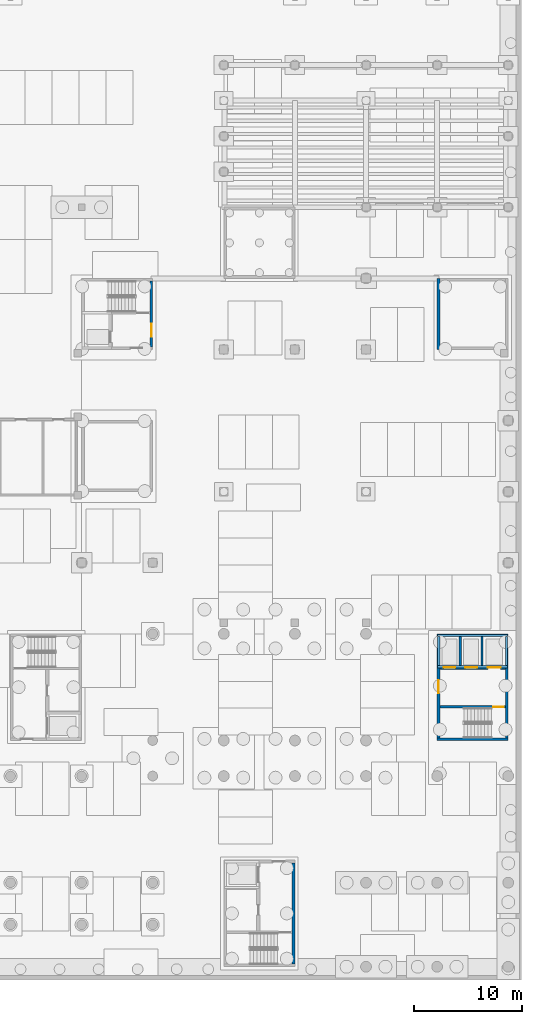
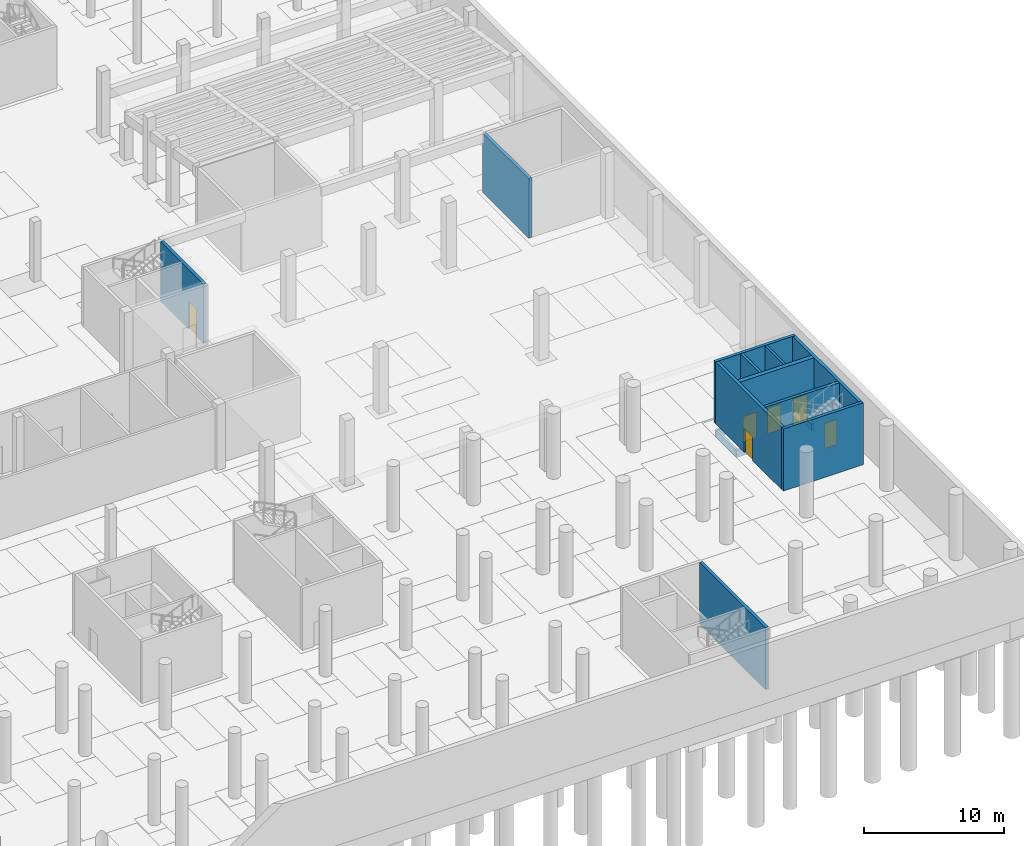
# One storey, part 14 of 38: 15 walls, 6 doors, 6 openings.
"""IFC4 building model written with IfcOpenShell, lengths in metres."""

from ifc_helpers import new_model, si_unit, direction, frame, frame_2d, origin, place, context, subcontext, project, spatial, rectangle, extrude, material, layer, layer_set, type_object, element, fill, save


model = new_model("IFC4")

# Units and contexts
model_context = context("Model", 3, precision=1e-05, world=origin(), true_north=direction((0.0, 1.0)))
body_context = subcontext(model_context, "Body", "Model", "MODEL_VIEW")
ifc_project = project(units=[si_unit("LENGTHUNIT", "METRE"), si_unit("AREAUNIT", "SQUARE_METRE"), si_unit("VOLUMEUNIT", "CUBIC_METRE"), si_unit("PLANEANGLEUNIT", "RADIAN"), si_unit("MASSUNIT", "GRAM", prefix="KILO")], contexts=[model_context])

# Site, building, storey
site_placement = place(None, origin())
site = spatial("IfcSite", under=ifc_project, at=site_placement, CompositionType="ELEMENT")
building_placement = place(site_placement, origin())
building = spatial("IfcBuilding", under=site, at=building_placement, Name="Lantern Court Research Institute", CompositionType="ELEMENT")
storey_placement = place(building_placement, frame((0.0, 0.0, -5.699951171875)))
storey = spatial("IfcBuildingStorey", under=building, at=storey_placement, Name="B1", CompositionType="ELEMENT", Elevation=-5.699951171875)

# Walls
ifc_material_1 = material(Name="Concrete C40/50", Category="concrete")
ifc_layer_1 = layer(ifc_material_1, 0.25)
ifc_layer_set_1 = layer_set([ifc_layer_1], Name="Concrete C40/50")
wall_type_1 = type_object("IfcWallType", Name="RC core wall 250", PredefinedType="SHEAR", material=ifc_layer_set_1)
wall_1_placement = place(storey_placement, frame((59.27490234375, 1.85009765625, 0.0), z_axis=(0.0, 0.0, 1.0), x_axis=(0.0, -1.0, 0.0)))
element("IfcWall", 1, at=wall_1_placement, inside=storey, type_object=wall_type_1, Name="East wall of core TC-W", PredefinedType="SHEAR", context=body_context, shape_type="SweptSolid", body=[
    extrude(rectangle(XDim=9.400146484375, YDim=0.25, at=frame_2d((4.7001953125, 0.0))), origin(), (0.0, 0.0, 1.0), 5.39990234375),
])
for number, where, z_axis, x_axis, name in (
    (2, (72.60009765625, 13.324951171875, 0.0), (0.0, 0.0, 1.0), (1.0, 0.0, 0.0), "South wall of core TC-E"),
    (3, (72.60009765625, 22.97509765625, 0.0), (0.0, 0.0, 1.0), (1.0, 0.0, 0.0), "North wall of core TC-E"),
):
    element("IfcWall", number, at=place(storey_placement, frame(where, z_axis=z_axis, x_axis=x_axis)), inside=storey, type_object=wall_type_1, Name=name, PredefinedType="SHEAR", context=body_context, shape_type="SweptSolid", body=[
        extrude(rectangle(XDim=6.599853515625, YDim=0.25, at=frame_2d((3.2998046875, 0.0))), origin(), (0.0, 0.0, 1.0), 5.39990234375),
    ])

# Wall, opening, door
wall_2_placement = place(storey_placement, frame((72.72509765625, 13.449951171875, 0.0), z_axis=(0.0, 0.0, 1.0), x_axis=(0.0, 1.0, 0.0)))
wall_2 = element("IfcWall", 4, at=wall_2_placement, inside=storey, type_object=wall_type_1, Name="West wall of core TC-E", PredefinedType="SHEAR", context=body_context, shape_type="SweptSolid", body=[
    extrude(rectangle(XDim=9.400146484375, YDim=0.25, at=frame_2d((4.7001953125, 0.0))), origin(), (0.0, 0.0, 1.0), 5.39990234375),
])
opening_1_placement = place(wall_2_placement, frame((4.125, 0.0, 0.0)))
opening_1 = element("IfcOpeningElement", 5, at=opening_1_placement, cuts=wall_2, Name="Opening D7140", PredefinedType="OPENING", context=body_context, shape_type="SweptSolid", body=[
    extrude(rectangle(XDim=1.199951171875, YDim=2.10009765625, at=frame_2d((0.60009765625, 1.050048828125))), frame((0.0, 0.135009765625, 0.0), z_axis=(0.0, -1.0, 0.0), x_axis=(1.0, 0.0, 0.0)), (0.0, 0.0, 1.0), 0.27001953125),
])
ifc_material_2 = material(Name="Steel fire door leaf with smoke seals", Category="steel")
door_type_1 = type_object("IfcDoorType", Name="Door 1200 x 2100 fire rated FD60S", OperationType="NOTDEFINED", PredefinedType="DOOR", material=ifc_material_2)
door_1_placement = place(opening_1_placement, origin())
door_1 = element("IfcDoor", 6, at=door_1_placement, inside=storey, type_object=door_type_1, Name="Lobby door", OperationType="SINGLE_SWING_LEFT", OverallHeight=2.10009765625, OverallWidth=1.199951171875, PredefinedType="DOOR", context=body_context, shape_type="SweptSolid", body=[
    extrude(rectangle(XDim=1.199951171875, YDim=2.10009765625, at=frame_2d((0.60009765625, 1.050048828125))), frame((0.0, 0.02490234375, 0.0), z_axis=(0.0, -1.0, 0.0), x_axis=(1.0, 0.0, 0.0)), (0.0, 0.0, 1.0), 0.050048828125),
])
fill(opening_1, door_1)

# Wall
wall_3_placement = place(storey_placement, frame((79.074951171875, 13.449951171875, 0.0), z_axis=(0.0, 0.0, 1.0), x_axis=(0.0, 1.0, 0.0)))
element("IfcWall", 7, at=wall_3_placement, inside=storey, type_object=wall_type_1, Name="East wall of core TC-E", PredefinedType="SHEAR", context=body_context, shape_type="SweptSolid", body=[
    extrude(rectangle(XDim=9.400146484375, YDim=0.25, at=frame_2d((4.7001953125, 0.0))), origin(), (0.0, 0.0, 1.0), 5.39990234375),
])

# Wall, opening, door
wall_4_placement = place(storey_placement, frame((46.074951171875, 49.75, 0.0), z_axis=(0.0, 0.0, 1.0), x_axis=(0.0, 1.0, 0.0)))
wall_4 = element("IfcWall", 8, at=wall_4_placement, inside=storey, type_object=wall_type_1, Name="East wall of core HC-A", PredefinedType="SHEAR", context=body_context, shape_type="SweptSolid", body=[
    extrude(rectangle(XDim=6.10009765625, YDim=0.25, at=frame_2d((3.050048828125, 0.0))), origin(), (0.0, 0.0, 1.0), 5.199951171875),
])
opening_2_placement = place(wall_4_placement, frame((0.949951171875, 0.0, 0.0)))
opening_2 = element("IfcOpeningElement", 9, at=opening_2_placement, cuts=wall_4, Name="Opening D7301", PredefinedType="OPENING", context=body_context, shape_type="SweptSolid", body=[
    extrude(rectangle(XDim=1.199951171875, YDim=2.39990234375, at=frame_2d((0.60009765625, 1.199951171875))), frame((0.0, 0.135009765625, 0.0), z_axis=(0.0, -1.0, 0.0), x_axis=(1.0, 0.0, 0.0)), (0.0, 0.0, 1.0), 0.27001953125),
])
ifc_material_3 = material(Name="Steel fire door leaf with smoke seals", Category="steel")
door_type_2 = type_object("IfcDoorType", Name="Door 1200 x 2400 fire rated FD60S", OperationType="NOTDEFINED", PredefinedType="DOOR", material=ifc_material_3)
door_2_placement = place(opening_2_placement, origin())
door_2 = element("IfcDoor", 10, at=door_2_placement, inside=storey, type_object=door_type_2, Name="Lobby exit door", OperationType="SINGLE_SWING_LEFT", OverallHeight=2.39990234375, OverallWidth=1.199951171875, PredefinedType="DOOR", context=body_context, shape_type="SweptSolid", body=[
    extrude(rectangle(XDim=1.199951171875, YDim=2.39990234375, at=frame_2d((0.60009765625, 1.199951171875))), frame((0.0, 0.02490234375, 0.0), z_axis=(0.0, -1.0, 0.0), x_axis=(1.0, 0.0, 0.0)), (0.0, 0.0, 1.0), 0.050048828125),
])
fill(opening_2, door_2)

# Walls
wall_5_placement = place(storey_placement, frame((72.72509765625, 56.10009765625, 0.0), z_axis=(0.0, 0.0, 1.0), x_axis=(0.0, -1.0, 0.0)))
element("IfcWall", 11, at=wall_5_placement, inside=storey, type_object=wall_type_1, Name="West wall of core HC-B", PredefinedType="SHEAR", context=body_context, shape_type="SweptSolid", body=[
    extrude(rectangle(XDim=6.60009765625, YDim=0.25, at=frame_2d((3.300048828125, 0.0))), origin(), (0.0, 0.0, 1.0), 5.199951171875),
])
ifc_material_4 = material(Name="Concrete C30/37", Category="concrete")
ifc_layer_2 = layer(ifc_material_4, 0.199951171875)
ifc_layer_set_2 = layer_set([ifc_layer_2], Name="Concrete C30/37")
wall_type_2 = type_object("IfcWallType", Name="RC lift pit wall 200", PredefinedType="SHEAR", material=ifc_layer_set_2)
for number, where, z_axis, x_axis, name in (
    (12, (72.64990234375, 20.050048828125, -1.199951171875), (0.0, 0.0, 1.0), (1.0, 0.0, 0.0), "Lift pit wall of core TC-E (south)"),
    (13, (72.64990234375, 22.949951171875, -1.199951171875), (0.0, 0.0, 1.0), (1.0, 0.0, 0.0), "Lift pit wall of core TC-E (north)"),
):
    element("IfcWall", number, at=place(storey_placement, frame(where, z_axis=z_axis, x_axis=x_axis)), inside=storey, type_object=wall_type_2, Name=name, PredefinedType="SHEAR", context=body_context, shape_type="SweptSolid", body=[
        extrude(rectangle(XDim=6.5, YDim=0.199951171875, at=frame_2d((3.25, 0.0))), origin(), (0.0, 0.0, 1.0), 0.599853515625),
    ])
for number, where, z_axis, x_axis, name in (
    (14, (72.75, 20.14990234375, -1.199951171875), (0.0, 0.0, 1.0), (0.0, 1.0, 0.0), "Lift pit wall of core TC-E (west)"),
    (15, (79.050048828125, 20.14990234375, -1.199951171875), (0.0, 0.0, 1.0), (0.0, 1.0, 0.0), "Lift pit wall of core TC-E (east)"),
):
    element("IfcWall", number, at=place(storey_placement, frame(where, z_axis=z_axis, x_axis=x_axis)), inside=storey, type_object=wall_type_2, Name=name, PredefinedType="SHEAR", context=body_context, shape_type="SweptSolid", body=[
        extrude(rectangle(XDim=2.7001953125, YDim=0.199951171875, at=frame_2d((1.35009765625, 0.0))), origin(), (0.0, 0.0, 1.0), 0.599853515625),
    ])
ifc_material_5 = material(Name="Concrete C40/50", Category="concrete")
ifc_layer_3 = layer(ifc_material_5, 0.199951171875)
ifc_layer_set_3 = layer_set([ifc_layer_3], Name="Concrete C40/50")
wall_type_3 = type_object("IfcWallType", Name="RC shaft wall 200", PredefinedType="SHEAR", material=ifc_layer_set_3)
for number, where, z_axis, x_axis, name in (
    (16, (74.75, 20.14990234375, 0.0), (0.0, 0.0, 1.0), (0.0, 1.0, 0.0), "Lift shaft wall of core TC-E"),
    (17, (76.75, 20.14990234375, 0.0), (0.0, 0.0, 1.0), (0.0, 1.0, 0.0), "Lift shaft wall of core TC-E"),
):
    element("IfcWall", number, at=place(storey_placement, frame(where, z_axis=z_axis, x_axis=x_axis)), inside=storey, type_object=wall_type_3, Name=name, PredefinedType="SHEAR", context=body_context, shape_type="SweptSolid", body=[
        extrude(rectangle(XDim=2.7001953125, YDim=0.199951171875, at=frame_2d((1.35009765625, 0.0))), origin(), (0.0, 0.0, 1.0), 5.39990234375),
    ])

# Wall, opening, door
ifc_material_6 = material(Name="Concrete C40/50", Category="concrete")
ifc_layer_4 = layer(ifc_material_6, 0.25)
ifc_layer_set_4 = layer_set([ifc_layer_4], Name="Concrete C40/50")
wall_type_4 = type_object("IfcWallType", Name="RC shaft wall 250", PredefinedType="SHEAR", material=ifc_layer_set_4)
wall_6_placement = place(storey_placement, frame((72.85009765625, 16.324951171875, 0.0), z_axis=(0.0, 0.0, 1.0), x_axis=(1.0, 0.0, 0.0)))
wall_6 = element("IfcWall", 18, at=wall_6_placement, inside=storey, type_object=wall_type_4, Name="Stair wall of core TC-E", PredefinedType="SHEAR", context=body_context, shape_type="SweptSolid", body=[
    extrude(rectangle(XDim=6.099853515625, YDim=0.25, at=frame_2d((3.0498046875, 0.0))), origin(), (0.0, 0.0, 1.0), 5.39990234375),
])
opening_3_placement = place(wall_6_placement, frame((4.949951171875, 0.0, 0.0)))
opening_3 = element("IfcOpeningElement", 19, at=opening_3_placement, cuts=wall_6, Name="Opening D7141", PredefinedType="OPENING", context=body_context, shape_type="SweptSolid", body=[
    extrude(rectangle(XDim=1.0, YDim=2.199951171875, at=frame_2d((0.5, 1.10009765625))), frame((0.0, 0.135009765625, 0.0), z_axis=(0.0, -1.0, 0.0), x_axis=(1.0, 0.0, 0.0)), (0.0, 0.0, 1.0), 0.27001953125),
])
ifc_material_7 = material(Name="Steel fire door leaf with smoke seals", Category="steel")
door_type_3 = type_object("IfcDoorType", Name="Door 1000 x 2200 fire rated FD60S", OperationType="NOTDEFINED", PredefinedType="DOOR", material=ifc_material_7)
door_3_placement = place(opening_3_placement, origin())
door_3 = element("IfcDoor", 20, at=door_3_placement, inside=storey, type_object=door_type_3, Name="Stair door", OperationType="SINGLE_SWING_RIGHT", OverallHeight=2.199951171875, OverallWidth=1.0, PredefinedType="DOOR", context=body_context, shape_type="SweptSolid", body=[
    extrude(rectangle(XDim=1.0, YDim=2.199951171875, at=frame_2d((0.5, 1.10009765625))), frame((0.0, 0.02490234375, 0.0), z_axis=(0.0, -1.0, 0.0), x_axis=(1.0, 0.0, 0.0)), (0.0, 0.0, 1.0), 0.050048828125),
])
fill(opening_3, door_3)

# Wall, openings, doors
ifc_material_8 = material(Name="Concrete C40/50", Category="concrete")
ifc_layer_5 = layer(ifc_material_8, 0.35009765625)
ifc_layer_set_5 = layer_set([ifc_layer_5], Name="Concrete C40/50")
wall_type_5 = type_object("IfcWallType", Name="RC shaft wall 350", PredefinedType="SHEAR", material=ifc_layer_set_5)
wall_7_placement = place(storey_placement, frame((72.85009765625, 19.97509765625, 0.0), z_axis=(0.0, 0.0, 1.0), x_axis=(1.0, 0.0, 0.0)))
wall_7 = element("IfcWall", 21, at=wall_7_placement, inside=storey, type_object=wall_type_5, Name="Lift shaft wall of core TC-E", PredefinedType="SHEAR", context=body_context, shape_type="SweptSolid", body=[
    extrude(rectangle(XDim=6.099853515625, YDim=0.35009765625, at=frame_2d((3.0498046875, 0.0))), origin(), (0.0, 0.0, 1.0), 5.39990234375),
])
opening_4_placement = place(wall_7_placement, frame((0.35009765625, 0.0, 0.0)))
opening_4 = element("IfcOpeningElement", 22, at=opening_4_placement, cuts=wall_7, Name="Opening D7142", PredefinedType="OPENING", context=body_context, shape_type="SweptSolid", body=[
    extrude(rectangle(XDim=1.10009765625, YDim=2.199951171875, at=frame_2d((0.550048828125, 1.10009765625))), frame((0.0, 0.18505859375, 0.0), z_axis=(0.0, -1.0, 0.0), x_axis=(1.0, 0.0, 0.0)), (0.0, 0.0, 1.0), 0.3701171875),
])
opening_5_placement = place(wall_7_placement, frame((2.35009765625, 0.0, 0.0)))
opening_5 = element("IfcOpeningElement", 23, at=opening_5_placement, cuts=wall_7, Name="Opening D7143", PredefinedType="OPENING", context=body_context, shape_type="SweptSolid", body=[
    extrude(rectangle(XDim=1.10009765625, YDim=2.199951171875, at=frame_2d((0.550048828125, 1.10009765625))), frame((0.0, 0.18505859375, 0.0), z_axis=(0.0, -1.0, 0.0), x_axis=(1.0, 0.0, 0.0)), (0.0, 0.0, 1.0), 0.3701171875),
])
opening_6_placement = place(wall_7_placement, frame((4.449951171875, 0.0, 0.0)))
opening_6 = element("IfcOpeningElement", 24, at=opening_6_placement, cuts=wall_7, Name="Opening D7144", PredefinedType="OPENING", context=body_context, shape_type="SweptSolid", body=[
    extrude(rectangle(XDim=1.199951171875, YDim=2.300048828125, at=frame_2d((0.60009765625, 1.14990234375))), frame((0.0, 0.18505859375, 0.0), z_axis=(0.0, -1.0, 0.0), x_axis=(1.0, 0.0, 0.0)), (0.0, 0.0, 1.0), 0.3701171875),
])
ifc_material_9 = material(Name="Stainless steel landing door panels", Category="steel")
door_type_4 = type_object("IfcDoorType", Name="Lift landing door 1100 x 2200 sliding FD60", OperationType="DOUBLE_DOOR_SLIDING", PredefinedType="NOTDEFINED", material=ifc_material_9)
door_4_placement = place(opening_4_placement, origin())
door_4 = element("IfcDoor", 25, at=door_4_placement, inside=storey, type_object=door_type_4, Name="Landing door", OperationType="DOUBLE_DOOR_SLIDING", OverallHeight=2.199951171875, OverallWidth=1.10009765625, PredefinedType="NOTDEFINED", context=body_context, shape_type="SweptSolid", body=[
    extrude(rectangle(XDim=1.10009765625, YDim=2.199951171875, at=frame_2d((0.550048828125, 1.10009765625))), frame((0.0, 0.02490234375, 0.0), z_axis=(0.0, -1.0, 0.0), x_axis=(1.0, 0.0, 0.0)), (0.0, 0.0, 1.0), 0.050048828125),
])
fill(opening_4, door_4)
door_5_placement = place(opening_5_placement, origin())
door_5 = element("IfcDoor", 26, at=door_5_placement, inside=storey, type_object=door_type_4, Name="Landing door", OperationType="DOUBLE_DOOR_SLIDING", OverallHeight=2.199951171875, OverallWidth=1.10009765625, PredefinedType="NOTDEFINED", context=body_context, shape_type="SweptSolid", body=[
    extrude(rectangle(XDim=1.10009765625, YDim=2.199951171875, at=frame_2d((0.550048828125, 1.10009765625))), frame((0.0, 0.02490234375, 0.0), z_axis=(0.0, -1.0, 0.0), x_axis=(1.0, 0.0, 0.0)), (0.0, 0.0, 1.0), 0.050048828125),
])
fill(opening_5, door_5)
ifc_material_10 = material(Name="Stainless steel landing door panels", Category="steel")
door_type_5 = type_object("IfcDoorType", Name="Lift landing door 1200 x 2300 sliding FD60", OperationType="DOUBLE_DOOR_SLIDING", PredefinedType="NOTDEFINED", material=ifc_material_10)
door_6_placement = place(opening_6_placement, origin())
door_6 = element("IfcDoor", 27, at=door_6_placement, inside=storey, type_object=door_type_5, Name="Landing door", OperationType="DOUBLE_DOOR_SLIDING", OverallHeight=2.300048828125, OverallWidth=1.199951171875, PredefinedType="NOTDEFINED", context=body_context, shape_type="SweptSolid", body=[
    extrude(rectangle(XDim=1.199951171875, YDim=2.300048828125, at=frame_2d((0.60009765625, 1.14990234375))), frame((0.0, 0.02490234375, 0.0), z_axis=(0.0, -1.0, 0.0), x_axis=(1.0, 0.0, 0.0)), (0.0, 0.0, 1.0), 0.050048828125),
])
fill(opening_6, door_6)

save(model, "model.ifc")
